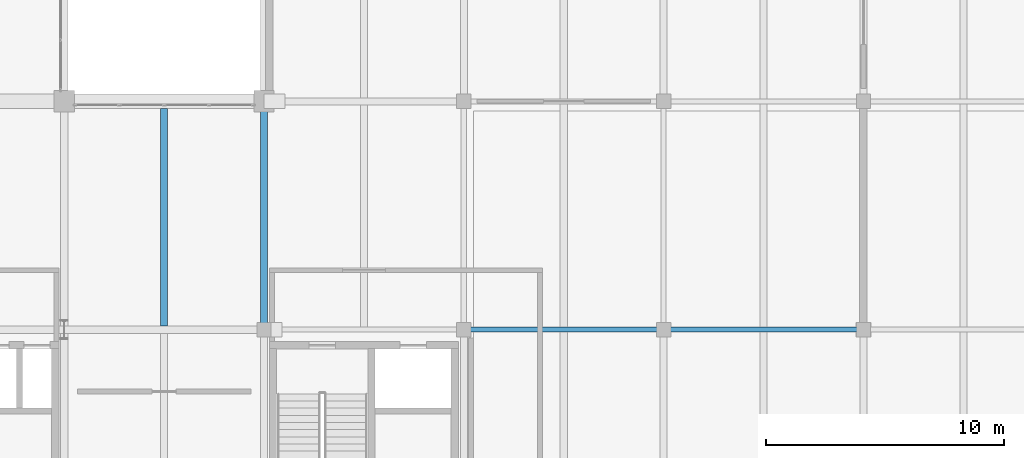
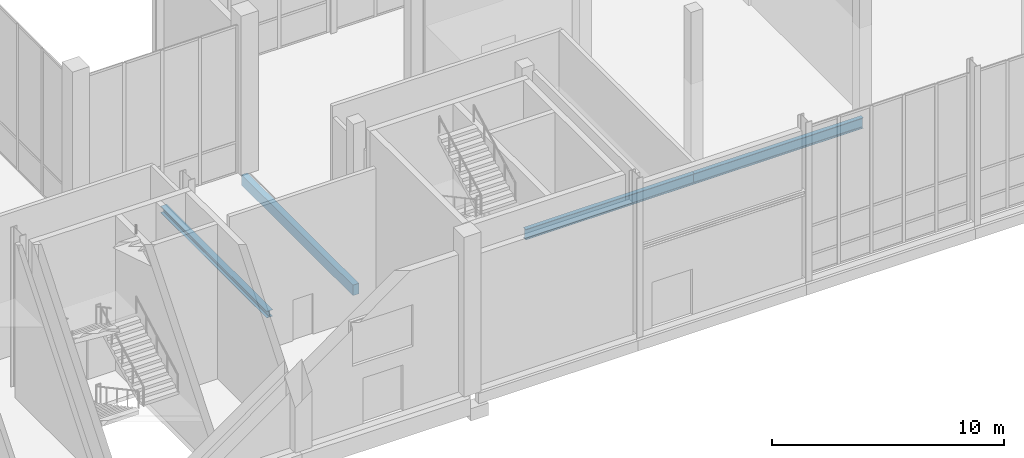
# One storey, part 30 of 131: 4 beams.
"""IFC4 building model written with IfcOpenShell, lengths in metres."""

from ifc_helpers import new_model, si_unit, direction, frame, origin, origin_2d, place, context, subcontext, project, spatial, rectangle, i_section, extrude, material, material_profile, profile_set, type_object, element, save


model = new_model("IFC4")

# Units and contexts
model_context = context("Model", 3, precision=1e-05, world=origin(), true_north=direction((0.0, 1.0)))
body_context = subcontext(model_context, "Body", "Model", "MODEL_VIEW")
ifc_project = project(units=[si_unit("LENGTHUNIT", "METRE"), si_unit("AREAUNIT", "SQUARE_METRE"), si_unit("VOLUMEUNIT", "CUBIC_METRE"), si_unit("PLANEANGLEUNIT", "RADIAN"), si_unit("MASSUNIT", "GRAM", prefix="KILO")], contexts=[model_context])

# Site, building, storey
site_placement = place(None, origin())
site = spatial("IfcSite", under=ifc_project, at=site_placement, CompositionType="ELEMENT")
building_placement = place(site_placement, origin())
building = spatial("IfcBuilding", under=site, at=building_placement, Name="Veltarok Museum of Natural Sciences", CompositionType="ELEMENT")
storey_placement = place(building_placement, origin())
storey = spatial("IfcBuildingStorey", under=building, at=storey_placement, Name="L00", CompositionType="ELEMENT", Elevation=0.0)

# Beams
ifc_material_1 = material(Name="Steel S355J2", Category="steel")
ifc_material_profile_1 = material_profile(ifc_material_1, i_section(OverallWidth=0.2099609375, OverallDepth=0.550048828125, WebThickness=0.010986328125, FlangeThickness=0.01708984375, FilletRadius=0.02392578125, at=origin_2d()), Name="IPE 550")
ifc_profile_set_1 = profile_set([ifc_material_profile_1], Name="Steel S355J2")
beam_type_1 = type_object("IfcBeamType", Name="Archive Heavy Girder IPE 550", PredefinedType="BEAM", material=ifc_profile_set_1)
for number, where, z_axis, x_axis, name in (
    (1, (115.60009765625, 9.60009765625, -0.574951171875), (1.0, 0.0, 0.0), (0.0, 1.0, 0.0), "Beam BM-G03 L00 14-15/B"),
    (2, (124.0, 9.60009765625, -0.574951171875), (1.0, 0.0, 0.0), (0.0, 1.0, 0.0), "Beam BM-G03 L00 15-16/B"),
):
    element("IfcBeam", number, at=place(storey_placement, frame(where, z_axis=z_axis, x_axis=x_axis)), inside=storey, type_object=beam_type_1, Name=name, PredefinedType="BEAM", context=body_context, shape_type="SweptSolid", body=[
        extrude(i_section(OverallWidth=0.2099609375, OverallDepth=0.550048828125, WebThickness=0.010986328125, FlangeThickness=0.01708984375, FilletRadius=0.02392578125, at=origin_2d()), origin(), (0.0, 0.0, 1.0), 8.39990234375),
    ])
ifc_material_2 = material(Name="Precast concrete C40/50", Category="concrete")
ifc_material_profile_2 = material_profile(ifc_material_2, rectangle(XDim=0.300048828125, YDim=0.550048828125, at=origin_2d()), Name="RC 300x550")
ifc_profile_set_2 = profile_set([ifc_material_profile_2], Name="Precast concrete C40/50")
beam_type_2 = type_object("IfcBeamType", Name="East Wing Precast Spandrel RC 300x550", PredefinedType="SPANDREL", material=ifc_profile_set_2)
beam_1_placement = place(storey_placement, frame((107.199951171875, 9.60009765625, -0.574951171875), z_axis=(0.0, 1.0, 0.0), x_axis=(-1.0, 0.0, 0.0)))
element("IfcBeam", 3, at=beam_1_placement, inside=storey, type_object=beam_type_2, Name="Beam BM-SP02 L00 13/B-C", PredefinedType="SPANDREL", context=body_context, shape_type="SweptSolid", body=[
    extrude(rectangle(XDim=0.300048828125, YDim=0.550048828125, at=origin_2d()), origin(), (0.0, 0.0, 1.0), 9.599853515625),
])
ifc_material_profile_3 = material_profile(ifc_material_1, i_section(OverallWidth=0.300048828125, OverallDepth=0.35009765625, WebThickness=0.010009765625, FlangeThickness=0.017578125, FilletRadius=0.027099609375, at=origin_2d()), Name="HEA 360")
ifc_profile_set_3 = profile_set([ifc_material_profile_3], Name="Steel S355J2")
beam_type_3 = type_object("IfcBeamType", Name="Long-Span Gallery Joist HEA 360", PredefinedType="JOIST", material=ifc_profile_set_3)
beam_2_placement = place(storey_placement, frame((103.0, 9.748046875, -0.47509765625), z_axis=(0.0, 1.0, 0.0), x_axis=(-1.0, 0.0, 0.0)))
element("IfcBeam", 4, at=beam_2_placement, inside=storey, type_object=beam_type_3, Name="Secondary Joist BM-J07 L00 12-13/B-C.1", PredefinedType="JOIST", context=body_context, shape_type="SweptSolid", body=[
    extrude(i_section(OverallWidth=0.300048828125, OverallDepth=0.35009765625, WebThickness=0.010009765625, FlangeThickness=0.017578125, FilletRadius=0.027099609375, at=origin_2d()), origin(), (0.0, 0.0, 1.0), 9.154052734375),
])

save(model, "model.ifc")
